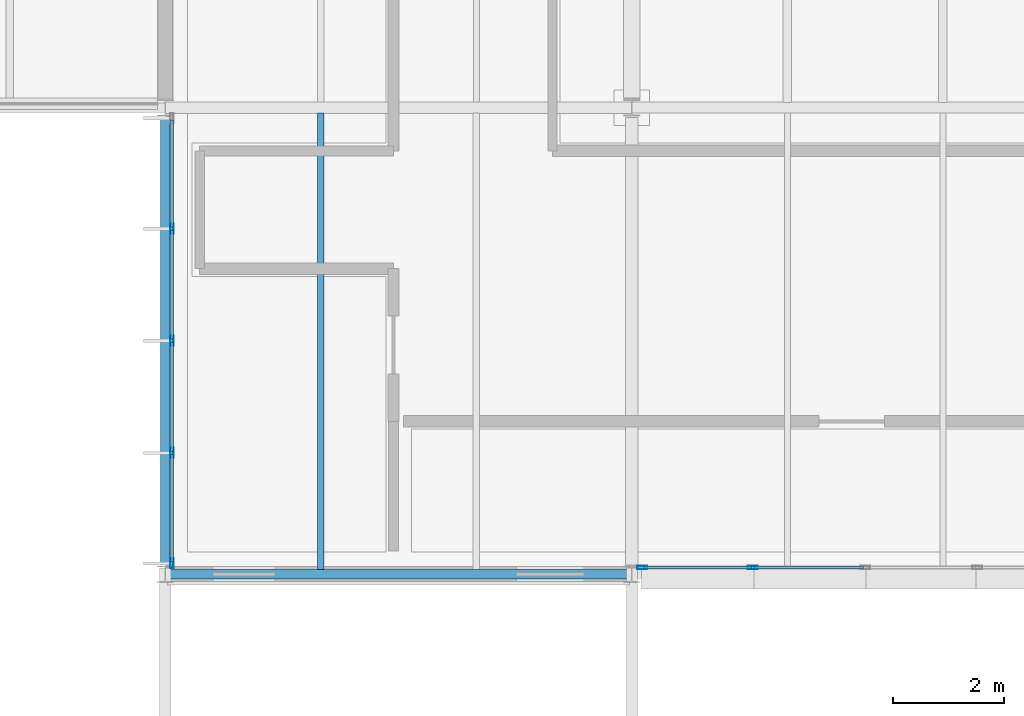
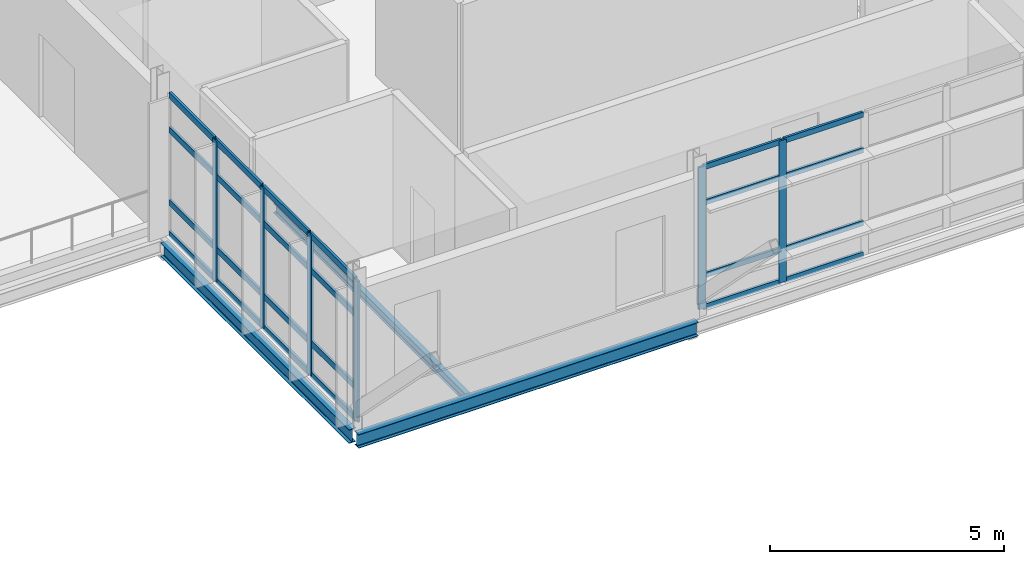
# One storey, part 6 of 35: 30 members, 3 beams, 2 elements without a shape of their own.
"""IFC4 building model written with IfcOpenShell, lengths in metres."""

from ifc_helpers import new_model, si_unit, direction, frame, origin, origin_2d, place, context, subcontext, project, spatial, hollow_rectangle, i_section, extrude, material, material_profile, profile_set, type_object, element, aggregate, save


model = new_model("IFC4")

# Units and contexts
model_context = context("Model", 3, precision=1e-05, world=origin(), true_north=direction((0.0, 1.0)))
body_context = subcontext(model_context, "Body", "Model", "MODEL_VIEW")
ifc_project = project(units=[si_unit("LENGTHUNIT", "METRE"), si_unit("AREAUNIT", "SQUARE_METRE"), si_unit("VOLUMEUNIT", "CUBIC_METRE"), si_unit("PLANEANGLEUNIT", "RADIAN"), si_unit("MASSUNIT", "GRAM", prefix="KILO")], contexts=[model_context])

# Site, building, storey
site_placement = place(None, origin())
site = spatial("IfcSite", under=ifc_project, at=site_placement, CompositionType="ELEMENT")
building_placement = place(site_placement, origin())
building = spatial("IfcBuilding", under=site, at=building_placement, Name="Mersafa Astral City Hall", CompositionType="ELEMENT")
storey_placement = place(building_placement, frame((0.0, 0.0, 30.14990234375)))
storey = spatial("IfcBuildingStorey", under=building, at=storey_placement, Name="L07", CompositionType="ELEMENT", Elevation=30.14990234375)

# Curtain wall, members
ifc_material_1 = material(Name="Anodised bronze aluminium framing", Category="aluminium")
curtain_wall_type_1 = type_object("IfcCurtainWallType", Name="ENV-CW-5", PredefinedType="USERDEFINED", material=ifc_material_1)
curtain_wall_1_placement = place(storey_placement, origin())
curtain_wall_1 = element("IfcCurtainWall", 1, at=curtain_wall_1_placement, inside=storey, type_object=curtain_wall_type_1, Name="L07 Unitised solar curtain wall 274", ObjectType="UNITISED CURTAIN WALL", PredefinedType="USERDEFINED")
ifc_material_profile_1 = material_profile(ifc_material_1, hollow_rectangle(XDim=0.06005859375, YDim=0.179931640625, WallThickness=0.00390625, at=origin_2d()), Name="RHS 60x180x4")
ifc_profile_set_1 = profile_set([ifc_material_profile_1], Name="Anodised bronze aluminium framing")
member_type_1 = type_object("IfcMemberType", Name="ENV-CW-MUL-1", PredefinedType="MULLION", material=ifc_profile_set_1)
member_1_placement = place(storey_placement, frame((109.320068359375, 115.4189453125, -0.001953125), z_axis=(0.0, 0.0, 1.0), x_axis=(1.0, 0.0, 0.0)))
member_1 = element("IfcMember", 2, at=member_1_placement, type_object=member_type_1, Name="CW-5 mullion 2", PredefinedType="MULLION", context=body_context, shape_type="SweptSolid", body=[
    extrude(hollow_rectangle(XDim=0.06005859375, YDim=0.179931640625, WallThickness=0.00390625, at=origin_2d()), origin(), (0.0, 0.0, 1.0), 3.678955078125),
])
member_2_placement = place(storey_placement, frame((109.320068359375, 113.39990234375, -0.001953125), z_axis=(0.0, 0.0, 1.0), x_axis=(1.0, 0.0, 0.0)))
member_2 = element("IfcMember", 3, at=member_2_placement, type_object=member_type_1, Name="CW-5 mullion 3", PredefinedType="MULLION", context=body_context, shape_type="SweptSolid", body=[
    extrude(hollow_rectangle(XDim=0.06005859375, YDim=0.179931640625, WallThickness=0.00390625, at=origin_2d()), origin(), (0.0, 0.0, 1.0), 3.678955078125),
])
member_3_placement = place(storey_placement, frame((109.320068359375, 111.381103515625, -0.001953125), z_axis=(0.0, 0.0, 1.0), x_axis=(1.0, 0.0, 0.0)))
member_3 = element("IfcMember", 4, at=member_3_placement, type_object=member_type_1, Name="CW-5 mullion 4", PredefinedType="MULLION", context=body_context, shape_type="SweptSolid", body=[
    extrude(hollow_rectangle(XDim=0.06005859375, YDim=0.179931640625, WallThickness=0.00390625, at=origin_2d()), origin(), (0.0, 0.0, 1.0), 3.678955078125),
])
member_4_placement = place(storey_placement, frame((109.320068359375, 109.39208984375, -0.001953125), z_axis=(0.0, 0.0, 1.0), x_axis=(1.0, 0.0, 0.0)))
member_4 = element("IfcMember", 5, at=member_4_placement, type_object=member_type_1, Name="CW-5 mullion 5", PredefinedType="MULLION", context=body_context, shape_type="SweptSolid", body=[
    extrude(hollow_rectangle(XDim=0.06005859375, YDim=0.179931640625, WallThickness=0.00390625, at=origin_2d()), origin(), (0.0, 0.0, 1.0), 3.678955078125),
])

curtain_wall_type_2 = type_object("IfcCurtainWallType", Name="ENV-CW-6", PredefinedType="USERDEFINED", material=ifc_material_1)
curtain_wall_2_placement = place(storey_placement, origin())
curtain_wall_2 = element("IfcCurtainWall", 6, at=curtain_wall_2_placement, inside=storey, type_object=curtain_wall_type_2, Name="L07 Unitised solar curtain wall 275", ObjectType="UNITISED CURTAIN WALL", PredefinedType="USERDEFINED")
member_5_placement = place(storey_placement, frame((117.7919921875, 109.320068359375, -0.001953125), z_axis=(0.0, 0.0, 1.0), x_axis=(0.0, 1.0, 0.0)))
member_5 = element("IfcMember", 7, at=member_5_placement, type_object=member_type_1, Name="CW-6 mullion 1", PredefinedType="MULLION", context=body_context, shape_type="SweptSolid", body=[
    extrude(hollow_rectangle(XDim=0.06005859375, YDim=0.179931640625, WallThickness=0.00390625, at=origin_2d()), origin(), (0.0, 0.0, 1.0), 3.708984375),
])
member_6_placement = place(storey_placement, frame((119.781005859375, 109.320068359375, -0.001953125), z_axis=(0.0, 0.0, 1.0), x_axis=(0.0, 1.0, 0.0)))
member_6 = element("IfcMember", 8, at=member_6_placement, type_object=member_type_1, Name="CW-6 mullion 2", PredefinedType="MULLION", context=body_context, shape_type="SweptSolid", body=[
    extrude(hollow_rectangle(XDim=0.06005859375, YDim=0.179931640625, WallThickness=0.00390625, at=origin_2d()), origin(), (0.0, 0.0, 1.0), 3.708984375),
])
ifc_material_profile_2 = material_profile(ifc_material_1, hollow_rectangle(XDim=0.06005859375, YDim=0.139892578125, WallThickness=0.00390625, at=origin_2d()), Name="RHS 60x140x4")
ifc_profile_set_2 = profile_set([ifc_material_profile_2], Name="Anodised bronze aluminium framing")
member_type_2 = type_object("IfcMemberType", Name="ENV-CW-TRN-1", PredefinedType="USERDEFINED", material=ifc_profile_set_2)
member_7_placement = place(storey_placement, frame((117.822021484375, 109.320068359375, 0.028076171875), z_axis=(1.0, 0.0, 0.0), x_axis=(0.0, 1.0, 0.0)))
member_7 = element("IfcMember", 9, at=member_7_placement, type_object=member_type_2, Name="CW-6 transom 1.1", ObjectType="TRANSOM", PredefinedType="USERDEFINED", context=body_context, shape_type="SweptSolid", body=[
    extrude(hollow_rectangle(XDim=0.06005859375, YDim=0.139892578125, WallThickness=0.00390625, at=origin_2d()), origin(), (0.0, 0.0, 1.0), 1.928955078125),
])
member_8_placement = place(storey_placement, frame((117.822021484375, 109.320068359375, 0.85009765625), z_axis=(1.0, 0.0, 0.0), x_axis=(0.0, 1.0, 0.0)))
member_8 = element("IfcMember", 10, at=member_8_placement, type_object=member_type_2, Name="CW-6 transom 1.2", ObjectType="TRANSOM", PredefinedType="USERDEFINED", context=body_context, shape_type="SweptSolid", body=[
    extrude(hollow_rectangle(XDim=0.06005859375, YDim=0.139892578125, WallThickness=0.00390625, at=origin_2d()), origin(), (0.0, 0.0, 1.0), 1.928955078125),
])
member_9_placement = place(storey_placement, frame((117.822021484375, 109.320068359375, 2.75), z_axis=(1.0, 0.0, 0.0), x_axis=(0.0, 1.0, 0.0)))
member_9 = element("IfcMember", 11, at=member_9_placement, type_object=member_type_2, Name="CW-6 transom 1.3", ObjectType="TRANSOM", PredefinedType="USERDEFINED", context=body_context, shape_type="SweptSolid", body=[
    extrude(hollow_rectangle(XDim=0.06005859375, YDim=0.139892578125, WallThickness=0.00390625, at=origin_2d()), origin(), (0.0, 0.0, 1.0), 1.928955078125),
])
member_10_placement = place(storey_placement, frame((117.822021484375, 109.320068359375, 3.677001953125), z_axis=(1.0, 0.0, 0.0), x_axis=(0.0, 1.0, 0.0)))
member_10 = element("IfcMember", 12, at=member_10_placement, type_object=member_type_2, Name="CW-6 transom 1.4", ObjectType="TRANSOM", PredefinedType="USERDEFINED", context=body_context, shape_type="SweptSolid", body=[
    extrude(hollow_rectangle(XDim=0.06005859375, YDim=0.139892578125, WallThickness=0.00390625, at=origin_2d()), origin(), (0.0, 0.0, 1.0), 1.928955078125),
])
member_11_placement = place(storey_placement, frame((119.81103515625, 109.320068359375, 0.028076171875), z_axis=(1.0, 0.0, 0.0), x_axis=(0.0, 1.0, 0.0)))
member_11 = element("IfcMember", 13, at=member_11_placement, type_object=member_type_2, Name="CW-6 transom 2.1", ObjectType="TRANSOM", PredefinedType="USERDEFINED", context=body_context, shape_type="SweptSolid", body=[
    extrude(hollow_rectangle(XDim=0.06005859375, YDim=0.139892578125, WallThickness=0.00390625, at=origin_2d()), origin(), (0.0, 0.0, 1.0), 1.958984375),
])
member_12_placement = place(storey_placement, frame((119.81103515625, 109.320068359375, 0.85009765625), z_axis=(1.0, 0.0, 0.0), x_axis=(0.0, 1.0, 0.0)))
member_12 = element("IfcMember", 14, at=member_12_placement, type_object=member_type_2, Name="CW-6 transom 2.2", ObjectType="TRANSOM", PredefinedType="USERDEFINED", context=body_context, shape_type="SweptSolid", body=[
    extrude(hollow_rectangle(XDim=0.06005859375, YDim=0.139892578125, WallThickness=0.00390625, at=origin_2d()), origin(), (0.0, 0.0, 1.0), 1.958984375),
])
member_13_placement = place(storey_placement, frame((119.81103515625, 109.320068359375, 2.75), z_axis=(1.0, 0.0, 0.0), x_axis=(0.0, 1.0, 0.0)))
member_13 = element("IfcMember", 15, at=member_13_placement, type_object=member_type_2, Name="CW-6 transom 2.3", ObjectType="TRANSOM", PredefinedType="USERDEFINED", context=body_context, shape_type="SweptSolid", body=[
    extrude(hollow_rectangle(XDim=0.06005859375, YDim=0.139892578125, WallThickness=0.00390625, at=origin_2d()), origin(), (0.0, 0.0, 1.0), 1.958984375),
])
member_14_placement = place(storey_placement, frame((119.81103515625, 109.320068359375, 3.677001953125), z_axis=(1.0, 0.0, 0.0), x_axis=(0.0, 1.0, 0.0)))
member_14 = element("IfcMember", 16, at=member_14_placement, type_object=member_type_2, Name="CW-6 transom 2.4", ObjectType="TRANSOM", PredefinedType="USERDEFINED", context=body_context, shape_type="SweptSolid", body=[
    extrude(hollow_rectangle(XDim=0.06005859375, YDim=0.139892578125, WallThickness=0.00390625, at=origin_2d()), origin(), (0.0, 0.0, 1.0), 1.958984375),
])
aggregate(curtain_wall_2, [member_5, member_6, member_7, member_8, member_9, member_10, member_11, member_12, member_13, member_14])

# Member
ifc_material_profile_3 = material_profile(ifc_material_1, hollow_rectangle(XDim=0.06005859375, YDim=0.159912109375, WallThickness=0.00390625, at=origin_2d()), Name="RHS 60x160x4")
ifc_profile_set_3 = profile_set([ifc_material_profile_3], Name="Anodised bronze aluminium framing")
member_type_3 = type_object("IfcMemberType", Name="ENV-CW-TRN-2", PredefinedType="USERDEFINED", material=ifc_profile_set_3)
member_15_placement = place(storey_placement, frame((109.320068359375, 117.3779296875, 0.028076171875), z_axis=(0.0, -1.0, 0.0), x_axis=(1.0, 0.0, 0.0)))
member_15 = element("IfcMember", 17, at=member_15_placement, type_object=member_type_3, Name="CW-5 transom 1.1", ObjectType="TRANSOM", PredefinedType="USERDEFINED", context=body_context, shape_type="SweptSolid", body=[
    extrude(hollow_rectangle(XDim=0.06005859375, YDim=0.159912109375, WallThickness=0.00390625, at=origin_2d()), origin(), (0.0, 0.0, 1.0), 1.928955078125),
])

member_16_placement = place(storey_placement, frame((109.320068359375, 117.3779296875, 0.85009765625), z_axis=(0.0, -1.0, 0.0), x_axis=(1.0, 0.0, 0.0)))
member_16 = element("IfcMember", 18, at=member_16_placement, type_object=member_type_3, Name="CW-5 transom 1.2", ObjectType="TRANSOM", PredefinedType="USERDEFINED", context=body_context, shape_type="SweptSolid", body=[
    extrude(hollow_rectangle(XDim=0.06005859375, YDim=0.159912109375, WallThickness=0.00390625, at=origin_2d()), origin(), (0.0, 0.0, 1.0), 1.928955078125),
])

member_17_placement = place(storey_placement, frame((109.320068359375, 117.3779296875, 2.75), z_axis=(0.0, -1.0, 0.0), x_axis=(1.0, 0.0, 0.0)))
member_17 = element("IfcMember", 19, at=member_17_placement, type_object=member_type_3, Name="CW-5 transom 1.3", ObjectType="TRANSOM", PredefinedType="USERDEFINED", context=body_context, shape_type="SweptSolid", body=[
    extrude(hollow_rectangle(XDim=0.06005859375, YDim=0.159912109375, WallThickness=0.00390625, at=origin_2d()), origin(), (0.0, 0.0, 1.0), 1.928955078125),
])

member_18_placement = place(storey_placement, frame((109.320068359375, 117.3779296875, 3.647216796875), z_axis=(0.0, -1.0, 0.0), x_axis=(1.0, 0.0, 0.0)))
member_18 = element("IfcMember", 20, at=member_18_placement, type_object=member_type_3, Name="CW-5 transom 1.4", ObjectType="TRANSOM", PredefinedType="USERDEFINED", context=body_context, shape_type="SweptSolid", body=[
    extrude(hollow_rectangle(XDim=0.06005859375, YDim=0.159912109375, WallThickness=0.00390625, at=origin_2d()), origin(), (0.0, 0.0, 1.0), 1.928955078125),
])

member_19_placement = place(storey_placement, frame((109.320068359375, 115.388916015625, 0.028076171875), z_axis=(0.0, -1.0, 0.0), x_axis=(1.0, 0.0, 0.0)))
member_19 = element("IfcMember", 21, at=member_19_placement, type_object=member_type_3, Name="CW-5 transom 2.1", ObjectType="TRANSOM", PredefinedType="USERDEFINED", context=body_context, shape_type="SweptSolid", body=[
    extrude(hollow_rectangle(XDim=0.06005859375, YDim=0.159912109375, WallThickness=0.00390625, at=origin_2d()), origin(), (0.0, 0.0, 1.0), 1.958984375),
])

member_20_placement = place(storey_placement, frame((109.320068359375, 115.388916015625, 0.85009765625), z_axis=(0.0, -1.0, 0.0), x_axis=(1.0, 0.0, 0.0)))
member_20 = element("IfcMember", 22, at=member_20_placement, type_object=member_type_3, Name="CW-5 transom 2.2", ObjectType="TRANSOM", PredefinedType="USERDEFINED", context=body_context, shape_type="SweptSolid", body=[
    extrude(hollow_rectangle(XDim=0.06005859375, YDim=0.159912109375, WallThickness=0.00390625, at=origin_2d()), origin(), (0.0, 0.0, 1.0), 1.958984375),
])

member_21_placement = place(storey_placement, frame((109.320068359375, 115.388916015625, 2.75), z_axis=(0.0, -1.0, 0.0), x_axis=(1.0, 0.0, 0.0)))
member_21 = element("IfcMember", 23, at=member_21_placement, type_object=member_type_3, Name="CW-5 transom 2.3", ObjectType="TRANSOM", PredefinedType="USERDEFINED", context=body_context, shape_type="SweptSolid", body=[
    extrude(hollow_rectangle(XDim=0.06005859375, YDim=0.159912109375, WallThickness=0.00390625, at=origin_2d()), origin(), (0.0, 0.0, 1.0), 1.958984375),
])

member_22_placement = place(storey_placement, frame((109.320068359375, 115.388916015625, 3.647216796875), z_axis=(0.0, -1.0, 0.0), x_axis=(1.0, 0.0, 0.0)))
member_22 = element("IfcMember", 24, at=member_22_placement, type_object=member_type_3, Name="CW-5 transom 2.4", ObjectType="TRANSOM", PredefinedType="USERDEFINED", context=body_context, shape_type="SweptSolid", body=[
    extrude(hollow_rectangle(XDim=0.06005859375, YDim=0.159912109375, WallThickness=0.00390625, at=origin_2d()), origin(), (0.0, 0.0, 1.0), 1.958984375),
])

member_23_placement = place(storey_placement, frame((109.320068359375, 113.3701171875, 0.028076171875), z_axis=(0.0, -1.0, 0.0), x_axis=(1.0, 0.0, 0.0)))
member_23 = element("IfcMember", 25, at=member_23_placement, type_object=member_type_3, Name="CW-5 transom 3.1", ObjectType="TRANSOM", PredefinedType="USERDEFINED", context=body_context, shape_type="SweptSolid", body=[
    extrude(hollow_rectangle(XDim=0.06005859375, YDim=0.159912109375, WallThickness=0.00390625, at=origin_2d()), origin(), (0.0, 0.0, 1.0), 1.959228515625),
])

member_24_placement = place(storey_placement, frame((109.320068359375, 113.3701171875, 0.85009765625), z_axis=(0.0, -1.0, 0.0), x_axis=(1.0, 0.0, 0.0)))
member_24 = element("IfcMember", 26, at=member_24_placement, type_object=member_type_3, Name="CW-5 transom 3.2", ObjectType="TRANSOM", PredefinedType="USERDEFINED", context=body_context, shape_type="SweptSolid", body=[
    extrude(hollow_rectangle(XDim=0.06005859375, YDim=0.159912109375, WallThickness=0.00390625, at=origin_2d()), origin(), (0.0, 0.0, 1.0), 1.959228515625),
])

member_25_placement = place(storey_placement, frame((109.320068359375, 113.3701171875, 2.75), z_axis=(0.0, -1.0, 0.0), x_axis=(1.0, 0.0, 0.0)))
member_25 = element("IfcMember", 27, at=member_25_placement, type_object=member_type_3, Name="CW-5 transom 3.3", ObjectType="TRANSOM", PredefinedType="USERDEFINED", context=body_context, shape_type="SweptSolid", body=[
    extrude(hollow_rectangle(XDim=0.06005859375, YDim=0.159912109375, WallThickness=0.00390625, at=origin_2d()), origin(), (0.0, 0.0, 1.0), 1.959228515625),
])

member_26_placement = place(storey_placement, frame((109.320068359375, 113.3701171875, 3.647216796875), z_axis=(0.0, -1.0, 0.0), x_axis=(1.0, 0.0, 0.0)))
member_26 = element("IfcMember", 28, at=member_26_placement, type_object=member_type_3, Name="CW-5 transom 3.4", ObjectType="TRANSOM", PredefinedType="USERDEFINED", context=body_context, shape_type="SweptSolid", body=[
    extrude(hollow_rectangle(XDim=0.06005859375, YDim=0.159912109375, WallThickness=0.00390625, at=origin_2d()), origin(), (0.0, 0.0, 1.0), 1.959228515625),
])

member_27_placement = place(storey_placement, frame((109.320068359375, 111.35107421875, 0.028076171875), z_axis=(0.0, -1.0, 0.0), x_axis=(1.0, 0.0, 0.0)))
member_27 = element("IfcMember", 29, at=member_27_placement, type_object=member_type_3, Name="CW-5 transom 4.1", ObjectType="TRANSOM", PredefinedType="USERDEFINED", context=body_context, shape_type="SweptSolid", body=[
    extrude(hollow_rectangle(XDim=0.06005859375, YDim=0.159912109375, WallThickness=0.00390625, at=origin_2d()), origin(), (0.0, 0.0, 1.0), 1.928955078125),
])

member_28_placement = place(storey_placement, frame((109.320068359375, 111.35107421875, 0.85009765625), z_axis=(0.0, -1.0, 0.0), x_axis=(1.0, 0.0, 0.0)))
member_28 = element("IfcMember", 30, at=member_28_placement, type_object=member_type_3, Name="CW-5 transom 4.2", ObjectType="TRANSOM", PredefinedType="USERDEFINED", context=body_context, shape_type="SweptSolid", body=[
    extrude(hollow_rectangle(XDim=0.06005859375, YDim=0.159912109375, WallThickness=0.00390625, at=origin_2d()), origin(), (0.0, 0.0, 1.0), 1.928955078125),
])

member_29_placement = place(storey_placement, frame((109.320068359375, 111.35107421875, 2.75), z_axis=(0.0, -1.0, 0.0), x_axis=(1.0, 0.0, 0.0)))
member_29 = element("IfcMember", 31, at=member_29_placement, type_object=member_type_3, Name="CW-5 transom 4.3", ObjectType="TRANSOM", PredefinedType="USERDEFINED", context=body_context, shape_type="SweptSolid", body=[
    extrude(hollow_rectangle(XDim=0.06005859375, YDim=0.159912109375, WallThickness=0.00390625, at=origin_2d()), origin(), (0.0, 0.0, 1.0), 1.928955078125),
])

member_30_placement = place(storey_placement, frame((109.320068359375, 111.35107421875, 3.647216796875), z_axis=(0.0, -1.0, 0.0), x_axis=(1.0, 0.0, 0.0)))
member_30 = element("IfcMember", 32, at=member_30_placement, type_object=member_type_3, Name="CW-5 transom 4.4", ObjectType="TRANSOM", PredefinedType="USERDEFINED", context=body_context, shape_type="SweptSolid", body=[
    extrude(hollow_rectangle(XDim=0.06005859375, YDim=0.159912109375, WallThickness=0.00390625, at=origin_2d()), origin(), (0.0, 0.0, 1.0), 1.928955078125),
])

aggregate(curtain_wall_1, [member_1, member_2, member_3, member_4, member_15, member_16, member_17, member_18, member_19, member_20, member_21, member_22, member_23, member_24, member_25, member_26, member_27, member_28, member_29, member_30])

# Beams
ifc_material_2 = material(Name="Steel S355", Category="steel")
ifc_material_profile_4 = material_profile(ifc_material_2, i_section(OverallWidth=0.1201171875, OverallDepth=0.239990234375, WebThickness=0.006103515625, FlangeThickness=0.009765625, FilletRadius=0.014892578125, at=origin_2d()), Name="IPE 240")
ifc_profile_set_4 = profile_set([ifc_material_profile_4], Name="Steel S355")
beam_type_1 = type_object("IfcBeamType", Name="STR-BM-JOIST-IPE240", PredefinedType="JOIST", material=ifc_profile_set_4)
beam_1_placement = place(storey_placement, frame((112.0, 109.280029296875, -0.294921875), z_axis=(0.0, 1.0, 0.0), x_axis=(-1.0, 0.0, 0.0)))
element("IfcBeam", 33, at=beam_1_placement, inside=storey, type_object=beam_type_1, Name="L07 Composite secondary floor joist 888", PredefinedType="JOIST", context=body_context, shape_type="SweptSolid", body=[
    extrude(i_section(OverallWidth=0.1201171875, OverallDepth=0.239990234375, WebThickness=0.006103515625, FlangeThickness=0.009765625, FilletRadius=0.014892578125, at=origin_2d()), origin(), (0.0, 0.0, 1.0), 8.219970703125),
])
ifc_material_profile_5 = material_profile(ifc_material_2, i_section(OverallWidth=0.169921875, OverallDepth=0.360107421875, WebThickness=0.008056640625, FlangeThickness=0.0126953125, FilletRadius=0.01806640625, at=origin_2d()), Name="IPE 360")
ifc_profile_set_5 = profile_set([ifc_material_profile_5], Name="Steel S355")
beam_type_2 = type_object("IfcBeamType", Name="STR-BM-SPANDREL-IPE360", PredefinedType="SPANDREL", material=ifc_profile_set_5)
beam_2_placement = place(storey_placement, frame((109.202880859375, 109.199951171875, -0.35498046875), z_axis=(1.0, 0.0, 0.0), x_axis=(0.0, 1.0, 0.0)))
element("IfcBeam", 34, at=beam_2_placement, inside=storey, type_object=beam_type_2, Name="L07 Primary girder X 13-13", PredefinedType="SPANDREL", context=body_context, shape_type="SweptSolid", body=[
    extrude(i_section(OverallWidth=0.169921875, OverallDepth=0.360107421875, WebThickness=0.008056640625, FlangeThickness=0.0126953125, FilletRadius=0.01806640625, at=origin_2d()), origin(), (0.0, 0.0, 1.0), 8.39404296875),
])
beam_3_placement = place(storey_placement, frame((109.199951171875, 109.375, -0.35498046875), z_axis=(0.0, 1.0, 0.0), x_axis=(-1.0, 0.0, 0.0)))
element("IfcBeam", 35, at=beam_3_placement, inside=storey, type_object=beam_type_2, Name="L07 Primary girder Y 13-13", PredefinedType="SPANDREL", context=body_context, shape_type="SweptSolid", body=[
    extrude(i_section(OverallWidth=0.169921875, OverallDepth=0.360107421875, WebThickness=0.008056640625, FlangeThickness=0.0126953125, FilletRadius=0.01806640625, at=origin_2d()), origin(), (0.0, 0.0, 1.0), 8.06005859375),
])

save(model, "model.ifc")
